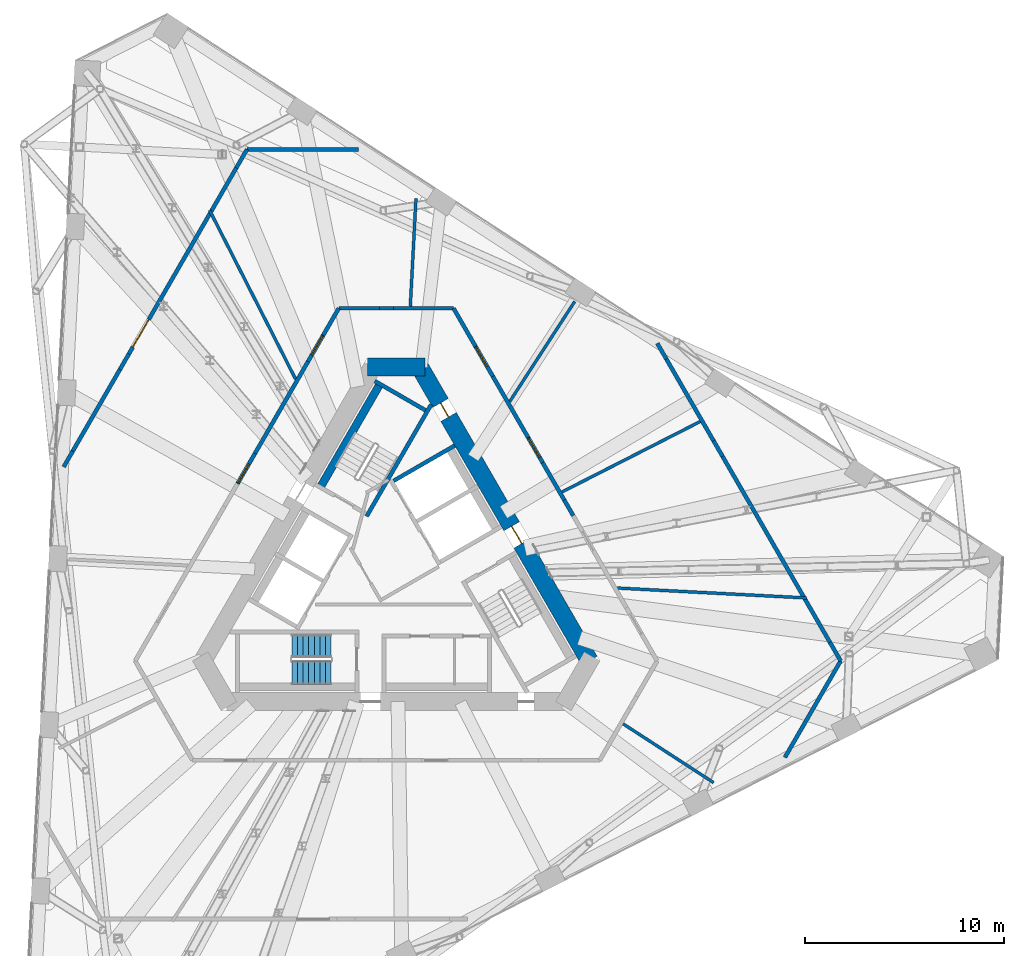
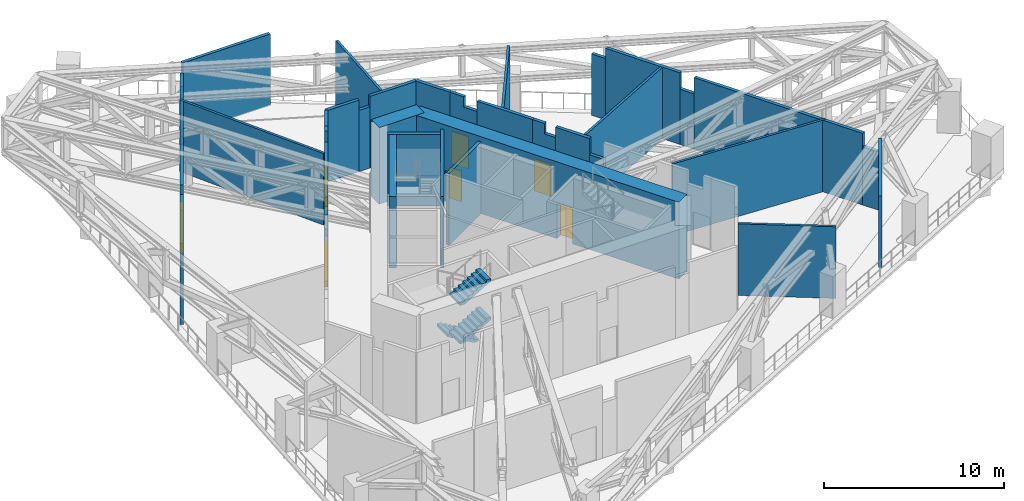
# One storey, part 18 of 26: 37 walls, 7 doors, 3 stair flights, 7 openings, 1 element without a shape of its own.
"""IFC4 building model written with IfcOpenShell, lengths in metres."""

from ifc_helpers import new_model, si_unit, direction, frame, frame_2d, origin, place, context, subcontext, project, spatial, polyline, rectangle, outline, extrude, material, layer, layer_set, type_object, element, fill, aggregate, save


model = new_model("IFC4")

# Units and contexts
model_context = context("Model", 3, precision=1e-05, world=origin(), true_north=direction((0.0, 1.0)))
body_context = subcontext(model_context, "Body", "Model", "MODEL_VIEW")
ifc_project = project(units=[si_unit("LENGTHUNIT", "METRE"), si_unit("AREAUNIT", "SQUARE_METRE"), si_unit("VOLUMEUNIT", "CUBIC_METRE"), si_unit("PLANEANGLEUNIT", "RADIAN"), si_unit("MASSUNIT", "GRAM", prefix="KILO")], contexts=[model_context])

# Site, building, storey
site_placement = place(None, origin())
site = spatial("IfcSite", under=ifc_project, at=site_placement, CompositionType="ELEMENT")
building_placement = place(site_placement, origin())
building = spatial("IfcBuilding", under=site, at=building_placement, Name="Tramontana Tower", CompositionType="ELEMENT")
storey_placement = place(building_placement, frame((0.0, 0.0, 157.60009765625)))
storey = spatial("IfcBuildingStorey", under=building, at=storey_placement, Name="L36", CompositionType="ELEMENT", Elevation=157.60009765625)

# Wall
ifc_material_1 = material(Name="Concrete 70 MPa", Category="concrete")
ifc_layer_1 = layer(ifc_material_1, 0.89990234375)
ifc_layer_set_1 = layer_set([ifc_layer_1], Name="Core wall 900 70 MPa")
wall_type_1 = type_object("IfcWallType", Name="Core wall 900 70 MPa", PredefinedType="SHEAR", material=ifc_layer_set_1)
wall_1_placement = place(storey_placement, frame((1.443359375, 10.550048828125, 0.0), z_axis=(0.0, 0.0, 1.0), x_axis=(-1.0, 0.0, 0.0)))
element("IfcWall", 1, at=wall_1_placement, inside=storey, type_object=wall_type_1, Name="Core wall C0 L36", PredefinedType="SHEAR", context=body_context, shape_type="SweptSolid", body=[
    extrude(rectangle(XDim=2.88671875, YDim=0.89990234375, at=frame_2d((1.443359375, 0.0))), origin(), (0.0, 0.0, 1.0), 5.199951171875),
])

# Wall, openings, doors
wall_2_placement = place(storey_placement, frame((9.728515625, -4.25, 0.0), z_axis=(0.0, 0.0, 1.0), x_axis=(-0.500004814304, 0.866022624227, 0.0)))
wall_2 = element("IfcWall", 2, at=wall_2_placement, inside=storey, type_object=wall_type_1, Name="Core wall C5 L36", PredefinedType="SHEAR", context=body_context, shape_type="SweptSolid", body=[
    extrude(rectangle(XDim=17.089599609375, YDim=0.89990234375, at=frame_2d((8.544921875, 0.0))), origin(), (0.0, 0.0, 1.0), 5.199951171875),
])
opening_1_placement = place(wall_2_placement, frame((6.81982421875, 0.0, 0.0)))
opening_1 = element("IfcOpeningElement", 3, at=opening_1_placement, cuts=wall_2, Name="Opening RG3", PredefinedType="OPENING", context=body_context, shape_type="SweptSolid", body=[
    extrude(rectangle(XDim=1.0, YDim=2.39990234375, at=frame_2d((0.5, 1.199951171875))), frame((0.0, 0.4599609375, 0.0), z_axis=(0.0, -1.0, 0.0), x_axis=(1.0, 0.0, 0.0)), (0.0, 0.0, 1.0), 0.919921875),
])
opening_2_placement = place(wall_2_placement, frame((14.183837890625, 0.0, 0.0)))
opening_2 = element("IfcOpeningElement", 4, at=opening_2_placement, cuts=wall_2, Name="Opening PD3", PredefinedType="OPENING", context=body_context, shape_type="SweptSolid", body=[
    extrude(rectangle(XDim=0.800048828125, YDim=2.10009765625, at=frame_2d((0.39990234375, 1.050048828125))), frame((0.0, 0.4599609375, 0.0), z_axis=(0.0, -1.0, 0.0), x_axis=(1.0, 0.0, 0.0)), (0.0, 0.0, 1.0), 0.919921875),
])
ifc_material_2 = material(Name="Painted steel", Category="steel")
door_type_1 = type_object("IfcDoorType", Name="CUPBOARD DOOR 800", OperationType="SINGLE_SWING_LEFT", PredefinedType="DOOR", material=ifc_material_2)
door_1_placement = place(opening_2_placement, origin())
door_1 = element("IfcDoor", 5, at=door_1_placement, inside=storey, type_object=door_type_1, Name="Door PD3", OperationType="SINGLE_SWING_RIGHT", OverallHeight=2.10009765625, OverallWidth=0.800048828125, PredefinedType="DOOR", context=body_context, shape_type="SweptSolid", body=[
    extrude(rectangle(XDim=0.800048828125, YDim=2.10009765625, at=frame_2d((0.39990234375, 1.050048828125))), frame((0.0, 0.02490234375, 0.0), z_axis=(0.0, -1.0, 0.0), x_axis=(1.0, 0.0, 0.0)), (0.0, 0.0, 1.0), 0.050048828125),
])
fill(opening_2, door_1)
ifc_material_3 = material(Name="Painted steel", Category="steel")
door_type_2 = type_object("IfcDoorType", Name="RING DOOR 1000", OperationType="SINGLE_SWING_LEFT", PredefinedType="DOOR", material=ifc_material_3)
door_2_placement = place(opening_1_placement, origin())
door_2 = element("IfcDoor", 6, at=door_2_placement, inside=storey, type_object=door_type_2, Name="Door RG3", OperationType="SINGLE_SWING_RIGHT", OverallHeight=2.39990234375, OverallWidth=1.0, PredefinedType="DOOR", context=body_context, shape_type="SweptSolid", body=[
    extrude(rectangle(XDim=1.0, YDim=2.39990234375, at=frame_2d((0.5, 1.199951171875))), frame((0.0, 0.02490234375, 0.0), z_axis=(0.0, -1.0, 0.0), x_axis=(1.0, 0.0, 0.0)), (0.0, 0.0, 1.0), 0.050048828125),
])
fill(opening_1, door_2)

# Walls
ifc_material_4 = material(Name="Blockwork", Category="masonry")
ifc_layer_2 = layer(ifc_material_4, 0.199951171875)
ifc_layer_set_2 = layer_set([ifc_layer_2], Name="ENCLOSURE WALL 200")
wall_type_2 = type_object("IfcWallType", Name="ENCLOSURE WALL 200", PredefinedType="SOLIDWALL", material=ifc_layer_set_2)
wall_3_placement = place(storey_placement, frame((13.1435546875, 11.734619140625, 0.0), z_axis=(0.0, 0.0, 1.0), x_axis=(0.500046162864, -0.865998750002, 0.0)))
element("IfcWall", 7, at=wall_3_placement, inside=storey, type_object=wall_type_2, Name="Wall enc0-0", PredefinedType="SOLIDWALL", context=body_context, shape_type="SweptSolid", body=[
    extrude(rectangle(XDim=0.9140625, YDim=0.199951171875, at=frame_2d((0.45703125, 0.0))), origin(), (0.0, 0.0, 1.0), 4.14990234375),
])
wall_4_placement = place(storey_placement, frame((13.6005859375, 10.943115234375, 0.0), z_axis=(0.0, 0.0, 1.0), x_axis=(0.499983650561, -0.866034842932, 0.0)))
element("IfcWall", 8, at=wall_4_placement, inside=storey, type_object=wall_type_2, Name="Wall enc0-1", PredefinedType="SOLIDWALL", context=body_context, shape_type="SweptSolid", body=[
    extrude(rectangle(XDim=4.746826171875, YDim=0.199951171875, at=frame_2d((2.37353515625, 0.0))), origin(), (0.0, 0.0, 1.0), 4.849853515625),
])
wall_5_placement = place(storey_placement, frame((15.973876953125, 6.832275390625, 0.0), z_axis=(0.0, 0.0, 1.0), x_axis=(0.499977996243, -0.866038107287, 0.0)))
element("IfcWall", 9, at=wall_5_placement, inside=storey, type_object=wall_type_2, Name="Wall enc0-2", PredefinedType="SOLIDWALL", context=body_context, shape_type="SweptSolid", body=[
    extrude(rectangle(XDim=0.90966796875, YDim=0.199951171875, at=frame_2d((0.454833984375, 0.0))), origin(), (0.0, 0.0, 1.0), 3.75),
])
wall_6_placement = place(storey_placement, frame((16.4287109375, 6.04443359375, 0.0), z_axis=(0.0, 0.0, 1.0), x_axis=(0.500009239692, -0.86602006918, 0.0)))
element("IfcWall", 10, at=wall_6_placement, inside=storey, type_object=wall_type_2, Name="Wall enc0-3", PredefinedType="SOLIDWALL", context=body_context, shape_type="SweptSolid", body=[
    extrude(rectangle(XDim=10.807861328125, YDim=0.199951171875, at=frame_2d((5.40380859375, 0.0))), origin(), (0.0, 0.0, 1.0), 4.849853515625),
])
wall_7_placement = place(storey_placement, frame((21.832763671875, -3.3154296875, 0.0), z_axis=(0.0, 0.0, 1.0), x_axis=(0.499983569942, -0.866034889475, 0.0)))
element("IfcWall", 11, at=wall_7_placement, inside=storey, type_object=wall_type_2, Name="Wall enc0-4", PredefinedType="SOLIDWALL", context=body_context, shape_type="SweptSolid", body=[
    extrude(rectangle(XDim=1.0791015625, YDim=0.199951171875, at=frame_2d((0.53955078125, 0.0))), origin(), (0.0, 0.0, 1.0), 3.949951171875),
])
wall_8_placement = place(storey_placement, frame((22.372314453125, -4.25, 0.0), z_axis=(0.0, 0.0, 1.0), x_axis=(-0.500008664361, -0.866020401355, 0.0)))
element("IfcWall", 12, at=wall_8_placement, inside=storey, type_object=wall_type_2, Name="Wall enc1", PredefinedType="SOLIDWALL", context=body_context, shape_type="SweptSolid", body=[
    extrude(rectangle(XDim=5.61181640625, YDim=0.199951171875, at=frame_2d((2.805908203125, 0.0))), origin(), (0.0, 0.0, 1.0), 4.849853515625),
])
wall_9_placement = place(storey_placement, frame((-16.734375, 5.515380859375, 0.0), z_axis=(0.0, 0.0, 1.0), x_axis=(0.500046162864, 0.865998750002, 0.0)))
element("IfcWall", 13, at=wall_9_placement, inside=storey, type_object=wall_type_2, Name="Wall enc4-0", PredefinedType="SOLIDWALL", context=body_context, shape_type="SweptSolid", body=[
    extrude(rectangle(XDim=0.9140625, YDim=0.199951171875, at=frame_2d((0.45703125, 0.0))), origin(), (0.0, 0.0, 1.0), 4.14990234375),
])
wall_10_placement = place(storey_placement, frame((-16.27734375, 6.306884765625, 0.0), z_axis=(0.0, 0.0, 1.0), x_axis=(0.50002222493, 0.866012571835, 0.0)))
element("IfcWall", 14, at=wall_10_placement, inside=storey, type_object=wall_type_2, Name="Wall enc4-1", PredefinedType="SOLIDWALL", context=body_context, shape_type="SweptSolid", body=[
    extrude(rectangle(XDim=4.746826171875, YDim=0.199951171875, at=frame_2d((2.37353515625, 0.0))), origin(), (0.0, 0.0, 1.0), 4.849853515625),
])
wall_11_placement = place(storey_placement, frame((-13.90380859375, 10.417724609375, 0.0), z_axis=(0.0, 0.0, 1.0), x_axis=(0.499776670437, 0.866154304779, 0.0)))
element("IfcWall", 15, at=wall_11_placement, inside=storey, type_object=wall_type_2, Name="Wall enc4-2", PredefinedType="SOLIDWALL", context=body_context, shape_type="SweptSolid", body=[
    extrude(rectangle(XDim=0.90966796875, YDim=0.199951171875, at=frame_2d((0.454833984375, 0.0))), origin(), (0.0, 0.0, 1.0), 3.75),
])

# Wall, opening, door
wall_12_placement = place(storey_placement, frame((-13.44921875, 11.20556640625, 0.0), z_axis=(0.0, 0.0, 1.0), x_axis=(0.500009239692, 0.86602006918, 0.0)))
wall_12 = element("IfcWall", 16, at=wall_12_placement, inside=storey, type_object=wall_type_2, Name="Wall enc4-3", PredefinedType="SOLIDWALL", context=body_context, shape_type="SweptSolid", body=[
    extrude(rectangle(XDim=10.807861328125, YDim=0.199951171875, at=frame_2d((5.40380859375, 0.0))), origin(), (0.0, 0.0, 1.0), 4.849853515625),
])
opening_3_placement = place(wall_12_placement, frame((0.391357421875, 0.0, 0.0)))
opening_3 = element("IfcOpeningElement", 17, at=opening_3_placement, cuts=wall_12, Name="Opening L36-10", PredefinedType="OPENING", context=body_context, shape_type="SweptSolid", body=[
    extrude(rectangle(XDim=1.60009765625, YDim=2.300048828125, at=frame_2d((0.800048828125, 1.14990234375))), frame((0.0, 0.10986328125, 0.0), z_axis=(0.0, -1.0, 0.0), x_axis=(1.0, 0.0, 0.0)), (0.0, 0.0, 1.0), 0.219970703125),
])
ifc_material_5 = material(Name="Painted timber", Category="wood")
door_type_3 = type_object("IfcDoorType", Name="DOOR WIDE 1600", OperationType="SINGLE_SWING_LEFT", PredefinedType="DOOR", material=ifc_material_5)
door_3_placement = place(opening_3_placement, origin())
door_3 = element("IfcDoor", 18, at=door_3_placement, inside=storey, type_object=door_type_3, Name="Door L36-10", OperationType="DOUBLE_DOOR_SINGLE_SWING", OverallHeight=2.300048828125, OverallWidth=1.60009765625, PredefinedType="DOOR", context=body_context, shape_type="SweptSolid", body=[
    extrude(rectangle(XDim=1.60009765625, YDim=2.300048828125, at=frame_2d((0.800048828125, 1.14990234375))), frame((0.0, 0.02490234375, 0.0), z_axis=(0.0, -1.0, 0.0), x_axis=(1.0, 0.0, 0.0)), (0.0, 0.0, 1.0), 0.050048828125),
])
fill(opening_3, door_3)

# Walls
wall_13_placement = place(storey_placement, frame((-8.045166015625, 20.5654296875, 0.0), z_axis=(0.0, 0.0, 1.0), x_axis=(0.499983569942, 0.866034889475, 0.0)))
element("IfcWall", 19, at=wall_13_placement, inside=storey, type_object=wall_type_2, Name="Wall enc4-4", PredefinedType="SOLIDWALL", context=body_context, shape_type="SweptSolid", body=[
    extrude(rectangle(XDim=1.0791015625, YDim=0.199951171875, at=frame_2d((0.53955078125, 0.0))), origin(), (0.0, 0.0, 1.0), 3.949951171875),
])
wall_14_placement = place(storey_placement, frame((-7.505615234375, 21.5, 0.0), z_axis=(0.0, 0.0, 1.0), x_axis=(1.0, 0.0, 0.0)))
element("IfcWall", 20, at=wall_14_placement, inside=storey, type_object=wall_type_2, Name="Wall enc5", PredefinedType="SOLIDWALL", context=body_context, shape_type="SweptSolid", body=[
    extrude(rectangle(XDim=5.61181640625, YDim=0.199951171875, at=frame_2d((2.805908203125, 0.0))), origin(), (0.0, 0.0, 1.0), 4.849853515625),
])
ifc_material_6 = material(Name="Blockwork", Category="masonry")
ifc_layer_3 = layer(ifc_material_6, 0.199951171875)
ifc_layer_set_3 = layer_set([ifc_layer_3], Name="ENTRY WALL 200")
wall_type_3 = type_object("IfcWallType", Name="ENTRY WALL 200", PredefinedType="SOLIDWALL", material=ifc_layer_set_3)
wall_15_placement = place(storey_placement, frame((2.88671875, 13.5, 0.0), z_axis=(0.0, 0.0, 1.0), x_axis=(0.499966483153, -0.86604475388, 0.0)))
element("IfcWall", 21, at=wall_15_placement, inside=storey, type_object=wall_type_3, Name="Wall ew0-0", PredefinedType="SOLIDWALL", context=body_context, shape_type="SweptSolid", body=[
    extrude(rectangle(XDim=2.222900390625, YDim=0.199951171875, at=frame_2d((1.111328125, 0.0))), origin(), (0.0, 0.0, 1.0), 4.849853515625),
])

# Wall, opening, door
wall_16_placement = place(storey_placement, frame((3.998046875, 11.574951171875, 0.0), z_axis=(0.0, 0.0, 1.0), x_axis=(0.500038750527, -0.866003030001, 0.0)))
wall_16 = element("IfcWall", 22, at=wall_16_placement, inside=storey, type_object=wall_type_3, Name="Wall ew0-1", PredefinedType="SOLIDWALL", context=body_context, shape_type="SweptSolid", body=[
    extrude(outline(polyline([(0.0, 0.0), (1.737060546875, 0.0), (1.7373046875, 4.14990234375), (0.8720703125, 4.14990234375), (0.8720703125, 4.849853515625), (0.0, 4.849853515625), (0.0, 0.0)])), frame((0.0, 0.10009765625, 0.0), z_axis=(0.0, -1.0, 0.0), x_axis=(1.0, 0.0, 0.0)), (0.0, 0.0, 1.0), 0.199951171875),
])
opening_4_placement = place(wall_16_placement, frame((0.050048828125, 0.0, 0.0)))
opening_4 = element("IfcOpeningElement", 23, at=opening_4_placement, cuts=wall_16, Name="Opening L36-01", PredefinedType="OPENING", context=body_context, shape_type="SweptSolid", body=[
    extrude(rectangle(XDim=1.10009765625, YDim=2.199951171875, at=frame_2d((0.550048828125, 1.10009765625))), frame((0.0, 0.10986328125, 0.0), z_axis=(0.0, -1.0, 0.0), x_axis=(1.0, 0.0, 0.0)), (0.0, 0.0, 1.0), 0.219970703125),
])
ifc_material_7 = material(Name="Painted steel", Category="steel")
door_type_4 = type_object("IfcDoorType", Name="PLANT DOOR 1100", OperationType="SINGLE_SWING_LEFT", PredefinedType="DOOR", material=ifc_material_7)
door_4_placement = place(opening_4_placement, origin())
door_4 = element("IfcDoor", 24, at=door_4_placement, inside=storey, type_object=door_type_4, Name="Door L36-01", OperationType="SINGLE_SWING_LEFT", OverallHeight=2.199951171875, OverallWidth=1.10009765625, PredefinedType="DOOR", context=body_context, shape_type="SweptSolid", body=[
    extrude(rectangle(XDim=1.10009765625, YDim=2.199951171875, at=frame_2d((0.550048828125, 1.10009765625))), frame((0.0, 0.02490234375, 0.0), z_axis=(0.0, -1.0, 0.0), x_axis=(1.0, 0.0, 0.0)), (0.0, 0.0, 1.0), 0.050048828125),
])
fill(opening_4, door_4)

# Wall
wall_17_placement = place(storey_placement, frame((4.86669921875, 10.070556640625, 0.0), z_axis=(0.0, 0.0, 1.0), x_axis=(0.50003588878, -0.866004682396, 0.0)))
element("IfcWall", 25, at=wall_17_placement, inside=storey, type_object=wall_type_3, Name="Wall ew0-2", PredefinedType="SOLIDWALL", context=body_context, shape_type="SweptSolid", body=[
    extrude(rectangle(XDim=3.551025390625, YDim=0.199951171875, at=frame_2d((1.775390625, 0.0))), origin(), (0.0, 0.0, 1.0), 4.849853515625),
])

# Wall, opening, door
wall_18_placement = place(storey_placement, frame((6.642333984375, 6.995361328125, 0.0), z_axis=(0.0, 0.0, 1.0), x_axis=(0.499953038101, -0.866052515552, 0.0)))
wall_18 = element("IfcWall", 26, at=wall_18_placement, inside=storey, type_object=wall_type_3, Name="Wall ew0-3", PredefinedType="SOLIDWALL", context=body_context, shape_type="SweptSolid", body=[
    extrude(outline(polyline([(0.0, 0.0), (1.466552734375, 0.0), (1.466552734375, 4.14990234375), (0.755615234375, 4.14990234375), (0.755615234375, 4.849853515625), (0.0, 4.849853515625), (0.0, 0.0)])), frame((0.0, 0.10009765625, 0.0), z_axis=(0.0, -1.0, 0.0), x_axis=(1.0, 0.0, 0.0)), (0.0, 0.0, 1.0), 0.199951171875),
])
opening_5_placement = place(wall_18_placement, frame((0.050048828125, 0.0, 0.0)))
opening_5 = element("IfcOpeningElement", 27, at=opening_5_placement, cuts=wall_18, Name="Opening L36-09", PredefinedType="OPENING", context=body_context, shape_type="SweptSolid", body=[
    extrude(rectangle(XDim=1.10009765625, YDim=2.199951171875, at=frame_2d((0.550048828125, 1.10009765625))), frame((0.0, 0.10986328125, 0.0), z_axis=(0.0, -1.0, 0.0), x_axis=(1.0, 0.0, 0.0)), (0.0, 0.0, 1.0), 0.219970703125),
])
door_5_placement = place(opening_5_placement, origin())
door_5 = element("IfcDoor", 28, at=door_5_placement, inside=storey, type_object=door_type_4, Name="Door L36-09", OperationType="SINGLE_SWING_LEFT", OverallHeight=2.199951171875, OverallWidth=1.10009765625, PredefinedType="DOOR", context=body_context, shape_type="SweptSolid", body=[
    extrude(rectangle(XDim=1.10009765625, YDim=2.199951171875, at=frame_2d((0.550048828125, 1.10009765625))), frame((0.0, 0.02490234375, 0.0), z_axis=(0.0, -1.0, 0.0), x_axis=(1.0, 0.0, 0.0)), (0.0, 0.0, 1.0), 0.050048828125),
])
fill(opening_5, door_5)

# Walls
wall_19_placement = place(storey_placement, frame((7.37548828125, 5.725341796875, 0.0), z_axis=(0.0, 0.0, 1.0), x_axis=(0.499975720793, -0.866039420937, 0.0)))
element("IfcWall", 29, at=wall_19_placement, inside=storey, type_object=wall_type_3, Name="Wall ew0-4", PredefinedType="SOLIDWALL", context=body_context, shape_type="SweptSolid", body=[
    extrude(rectangle(XDim=2.16943359375, YDim=0.199951171875, at=frame_2d((1.084716796875, 0.0))), origin(), (0.0, 0.0, 1.0), 4.849853515625),
])
wall_20_placement = place(storey_placement, frame((8.460205078125, 3.846435546875, 0.0), z_axis=(0.0, 0.0, 1.0), x_axis=(0.499977996243, -0.866038107287, 0.0)))
element("IfcWall", 30, at=wall_20_placement, inside=storey, type_object=wall_type_3, Name="Wall ew0-5", PredefinedType="SOLIDWALL", context=body_context, shape_type="SweptSolid", body=[
    extrude(rectangle(XDim=0.90966796875, YDim=0.199951171875, at=frame_2d((0.454833984375, 0.0))), origin(), (0.0, 0.0, 1.0), 3.75),
])

# Wall, opening, door
wall_21_placement = place(storey_placement, frame((-7.983642578125, 4.671630859375, 0.0), z_axis=(0.0, 0.0, 1.0), x_axis=(0.499895082464, 0.866085969479, 0.0)))
wall_21 = element("IfcWall", 31, at=wall_21_placement, inside=storey, type_object=wall_type_3, Name="Wall ew4-5", PredefinedType="SOLIDWALL", context=body_context, shape_type="SweptSolid", body=[
    extrude(outline(polyline([(0.0, 0.0), (1.7548828125, 0.0), (1.754638671875, 3.75), (0.84521484375, 3.75), (0.84521484375, 4.849853515625), (0.0, 4.849853515625), (0.0, 0.0)])), frame((0.0, 0.10009765625, 0.0), z_axis=(0.0, -1.0, 0.0), x_axis=(1.0, 0.0, 0.0)), (0.0, 0.0, 1.0), 0.199951171875),
])
opening_6_placement = place(wall_21_placement, frame((0.050048828125, 0.0, 0.0)))
opening_6 = element("IfcOpeningElement", 32, at=opening_6_placement, cuts=wall_21, Name="Opening L36-03", PredefinedType="OPENING", context=body_context, shape_type="SweptSolid", body=[
    extrude(rectangle(XDim=1.10009765625, YDim=2.199951171875, at=frame_2d((0.550048828125, 1.10009765625))), frame((0.0, 0.10986328125, 0.0), z_axis=(0.0, -1.0, 0.0), x_axis=(1.0, 0.0, 0.0)), (0.0, 0.0, 1.0), 0.219970703125),
])
door_6_placement = place(opening_6_placement, origin())
door_6 = element("IfcDoor", 33, at=door_6_placement, inside=storey, type_object=door_type_4, Name="Door L36-03", OperationType="SINGLE_SWING_LEFT", OverallHeight=2.199951171875, OverallWidth=1.10009765625, PredefinedType="DOOR", context=body_context, shape_type="SweptSolid", body=[
    extrude(rectangle(XDim=1.10009765625, YDim=2.199951171875, at=frame_2d((0.550048828125, 1.10009765625))), frame((0.0, 0.02490234375, 0.0), z_axis=(0.0, -1.0, 0.0), x_axis=(1.0, 0.0, 0.0)), (0.0, 0.0, 1.0), 0.050048828125),
])
fill(opening_6, door_6)

# Wall
wall_22_placement = place(storey_placement, frame((-7.1064453125, 6.19140625, 0.0), z_axis=(0.0, 0.0, 1.0), x_axis=(0.500011158634, 0.866018961248, 0.0)))
element("IfcWall", 34, at=wall_22_placement, inside=storey, type_object=wall_type_3, Name="Wall ew4-6", PredefinedType="SOLIDWALL", context=body_context, shape_type="SweptSolid", body=[
    extrude(rectangle(XDim=5.34375, YDim=0.199951171875, at=frame_2d((2.671875, 0.0))), origin(), (0.0, 0.0, 1.0), 4.849853515625),
])

# Wall, opening, door
wall_23_placement = place(storey_placement, frame((-4.4345703125, 10.819091796875, 0.0), z_axis=(0.0, 0.0, 1.0), x_axis=(0.500008507724, 0.866020491792, 0.0)))
wall_23 = element("IfcWall", 35, at=wall_23_placement, inside=storey, type_object=wall_type_3, Name="Wall ew4-7", PredefinedType="SOLIDWALL", context=body_context, shape_type="SweptSolid", body=[
    extrude(outline(polyline([(0.0, 0.0), (1.52685546875, 0.0), (1.52685546875, 4.849853515625), (1.039306640625, 4.849853515625), (1.039306640625, 3.949951171875), (0.0, 3.949951171875), (0.0, 0.0)])), frame((0.0, 0.10009765625, 0.0), z_axis=(0.0, -1.0, 0.0), x_axis=(1.0, 0.0, 0.0)), (0.0, 0.0, 1.0), 0.199951171875),
])
opening_7_placement = place(wall_23_placement, frame((0.376708984375, 0.0, 0.0)))
opening_7 = element("IfcOpeningElement", 36, at=opening_7_placement, cuts=wall_23, Name="Opening L36-02", PredefinedType="OPENING", context=body_context, shape_type="SweptSolid", body=[
    extrude(rectangle(XDim=1.10009765625, YDim=2.199951171875, at=frame_2d((0.550048828125, 1.10009765625))), frame((0.0, 0.10986328125, 0.0), z_axis=(0.0, -1.0, 0.0), x_axis=(1.0, 0.0, 0.0)), (0.0, 0.0, 1.0), 0.219970703125),
])
door_7_placement = place(opening_7_placement, origin())
door_7 = element("IfcDoor", 37, at=door_7_placement, inside=storey, type_object=door_type_4, Name="Door L36-02", OperationType="SINGLE_SWING_RIGHT", OverallHeight=2.199951171875, OverallWidth=1.10009765625, PredefinedType="DOOR", context=body_context, shape_type="SweptSolid", body=[
    extrude(rectangle(XDim=1.10009765625, YDim=2.199951171875, at=frame_2d((0.550048828125, 1.10009765625))), frame((0.0, 0.02490234375, 0.0), z_axis=(0.0, -1.0, 0.0), x_axis=(1.0, 0.0, 0.0)), (0.0, 0.0, 1.0), 0.050048828125),
])
fill(opening_7, door_7)

# Walls
wall_24_placement = place(storey_placement, frame((-3.671142578125, 12.141357421875, 0.0), z_axis=(0.0, 0.0, 1.0), x_axis=(0.500005339912, 0.866022320763, 0.0)))
element("IfcWall", 38, at=wall_24_placement, inside=storey, type_object=wall_type_3, Name="Wall ew4-8", PredefinedType="SOLIDWALL", context=body_context, shape_type="SweptSolid", body=[
    extrude(rectangle(XDim=1.56884765625, YDim=0.199951171875, at=frame_2d((0.784423828125, 0.0))), origin(), (0.0, 0.0, 1.0), 4.849853515625),
])
wall_25_placement = place(storey_placement, frame((-2.88671875, 13.5, 0.0), z_axis=(0.0, 0.0, 1.0), x_axis=(1.0, 0.0, 0.0)))
element("IfcWall", 39, at=wall_25_placement, inside=storey, type_object=wall_type_3, Name="Wall ew5-0", PredefinedType="SOLIDWALL", context=body_context, shape_type="SweptSolid", body=[
    extrude(rectangle(XDim=2.057861328125, YDim=0.199951171875, at=frame_2d((1.02880859375, 0.0))), origin(), (0.0, 0.0, 1.0), 4.849853515625),
])
wall_26_placement = place(storey_placement, frame((-0.828857421875, 13.5, 0.0), z_axis=(0.0, 0.0, 1.0), x_axis=(1.0, 0.0, 0.0)))
element("IfcWall", 40, at=wall_26_placement, inside=storey, type_object=wall_type_3, Name="Wall ew5-1", PredefinedType="SOLIDWALL", context=body_context, shape_type="SweptSolid", body=[
    extrude(rectangle(XDim=0.700439453125, YDim=0.199951171875, at=frame_2d((0.35009765625, 0.0))), origin(), (0.0, 0.0, 1.0), 4.14990234375),
])
wall_27_placement = place(storey_placement, frame((-0.12841796875, 13.5, 0.0), z_axis=(0.0, 0.0, 1.0), x_axis=(1.0, 0.0, 0.0)))
element("IfcWall", 41, at=wall_27_placement, inside=storey, type_object=wall_type_3, Name="Wall ew5-2", PredefinedType="SOLIDWALL", context=body_context, shape_type="SweptSolid", body=[
    extrude(rectangle(XDim=3.01513671875, YDim=0.199951171875, at=frame_2d((1.507568359375, 0.0))), origin(), (0.0, 0.0, 1.0), 4.849853515625),
])
ifc_material_8 = material(Name="Gypsum board partition")
ifc_layer_4 = layer(ifc_material_8, 0.14990234375)
ifc_layer_set_4 = layer_set([ifc_layer_4], Name="PARTITION 150")
wall_type_4 = type_object("IfcWallType", Name="PARTITION 150", PredefinedType="PARTITIONING", material=ifc_layer_set_4)
wall_28_placement = place(storey_placement, frame((-5.061279296875, 9.93359375, 0.0), z_axis=(0.0, 0.0, 1.0), x_axis=(-0.453998628556, 0.891002382303, 0.0)))
element("IfcWall", 42, at=wall_28_placement, inside=storey, type_object=wall_type_4, Name="Wall fw-pw03", PredefinedType="PARTITIONING", context=body_context, shape_type="SweptSolid", body=[
    extrude(rectangle(XDim=9.538818359375, YDim=0.14990234375, at=frame_2d((4.76953125, 0.0))), origin(), (0.0, 0.0, 1.0), 4.849853515625),
])
wall_29_placement = place(storey_placement, frame((0.712646484375, 13.60009765625, 0.0), z_axis=(0.0, 0.0, 1.0), x_axis=(0.052344232101, 0.998629101001, 0.0)))
element("IfcWall", 43, at=wall_29_placement, inside=storey, type_object=wall_type_4, Name="Wall fw-pw04", PredefinedType="PARTITIONING", context=body_context, shape_type="SweptSolid", body=[
    extrude(rectangle(XDim=5.433837890625, YDim=0.14990234375, at=frame_2d((2.716796875, 0.0))), origin(), (0.0, 0.0, 1.0), 4.849853515625),
])
wall_30_placement = place(storey_placement, frame((8.34228515625, 4.250732421875, 0.0), z_axis=(0.0, 0.0, 1.0), x_axis=(0.891018796903, 0.453966412377, 0.0)))
element("IfcWall", 44, at=wall_30_placement, inside=storey, type_object=wall_type_4, Name="Wall fw-pw05", PredefinedType="PARTITIONING", context=body_context, shape_type="SweptSolid", body=[
    extrude(rectangle(XDim=8.010986328125, YDim=0.14990234375, at=frame_2d((4.00537109375, 0.0))), origin(), (0.0, 0.0, 1.0), 4.849853515625),
])
wall_31_placement = place(storey_placement, frame((8.986572265625, 13.838134765625, 0.0), z_axis=(0.0, 0.0, 1.0), x_axis=(-0.544632548775, -0.838674780123, 0.0)))
element("IfcWall", 45, at=wall_31_placement, inside=storey, type_object=wall_type_4, Name="Wall fw-pw06", PredefinedType="PARTITIONING", context=body_context, shape_type="SweptSolid", body=[
    extrude(rectangle(XDim=6.00634765625, YDim=0.14990234375, at=frame_2d((3.003173828125, 0.0))), origin(), (0.0, 0.0, 1.0), 4.849853515625),
])
wall_32_placement = place(storey_placement, frame((11.13330078125, -0.58349609375, 0.0), z_axis=(0.0, 0.0, 1.0), x_axis=(0.998629329727, -0.052339868248, 0.0)))
element("IfcWall", 46, at=wall_32_placement, inside=storey, type_object=wall_type_4, Name="Wall fw-pw07", PredefinedType="PARTITIONING", context=body_context, shape_type="SweptSolid", body=[
    extrude(rectangle(XDim=9.5390625, YDim=0.14990234375, at=frame_2d((4.76953125, 0.0))), origin(), (0.0, 0.0, 1.0), 4.849853515625),
])
wall_33_placement = place(storey_placement, frame((11.421630859375, -7.417236328125, 0.0), z_axis=(0.0, 0.0, 1.0), x_axis=(0.838667328076, -0.544644023944, 0.0)))
element("IfcWall", 47, at=wall_33_placement, inside=storey, type_object=wall_type_4, Name="Wall fw-pw08", PredefinedType="PARTITIONING", context=body_context, shape_type="SweptSolid", body=[
    extrude(rectangle(XDim=5.433837890625, YDim=0.14990234375, at=frame_2d((2.716796875, 0.0))), origin(), (0.0, 0.0, 1.0), 4.849853515625),
])
ifc_material_9 = material(Name="Concrete 70 MPa", Category="concrete")
ifc_layer_5 = layer(ifc_material_9, 0.39990234375)
ifc_layer_set_5 = layer_set([ifc_layer_5], Name="Concrete 70 MPa, 400 mm")
wall_type_5 = type_object("IfcWallType", Name="RC SHAFT BACK WALL 400", PredefinedType="SOLIDWALL", material=ifc_layer_set_5)
wall_34_placement = place(storey_placement, frame((-0.766357421875, 9.7724609375, 0.0), z_axis=(0.0, 0.0, 1.0), x_axis=(-0.500009909098, -0.866019682689, 0.0)))
element("IfcWall", 48, at=wall_34_placement, inside=storey, type_object=wall_type_5, Name="Wall st1-back", PredefinedType="SOLIDWALL", context=body_context, shape_type="SweptSolid", body=[
    extrude(rectangle(XDim=6.199951171875, YDim=0.39990234375, at=frame_2d((3.10009765625, 0.0))), origin(), (0.0, 0.0, 1.0), 4.849853515625),
])
ifc_material_10 = material(Name="Concrete 70 MPa", Category="concrete")
ifc_layer_6 = layer(ifc_material_10, 0.199951171875)
ifc_layer_set_6 = layer_set([ifc_layer_6], Name="Concrete 70 MPa, 200 mm")
wall_type_6 = type_object("IfcWallType", Name="RC STAIR AND SHAFT WALL 200", PredefinedType="SOLIDWALL", material=ifc_layer_set_6)
wall_35_placement = place(storey_placement, frame((1.760986328125, 8.64990234375, 0.0), z_axis=(0.0, 0.0, 1.0), x_axis=(-0.500010023241, -0.866019616786, 0.0)))
element("IfcWall", 49, at=wall_35_placement, inside=storey, type_object=wall_type_6, Name="Wall st1-front", PredefinedType="SOLIDWALL", context=body_context, shape_type="SweptSolid", body=[
    extrude(rectangle(XDim=6.491455078125, YDim=0.199951171875, at=frame_2d((3.24560546875, 0.0))), origin(), (0.0, 0.0, 1.0), 4.849853515625),
])
wall_36_placement = place(storey_placement, frame((1.478515625, 8.36083984375, 0.0), z_axis=(0.0, 0.0, 1.0), x_axis=(-0.866003658127, 0.500037662692, 0.0)))
element("IfcWall", 50, at=wall_36_placement, inside=storey, type_object=wall_type_6, Name="Wall st1-far", PredefinedType="SOLIDWALL", context=body_context, shape_type="SweptSolid", body=[
    extrude(rectangle(XDim=2.949951171875, YDim=0.199951171875, at=frame_2d((1.47509765625, 0.0))), origin(), (0.0, 0.0, 1.0), 4.849853515625),
])
wall_37_placement = place(storey_placement, frame((-0.123046875, 4.813232421875, 0.0), z_axis=(0.0, 0.0, 1.0), x_axis=(0.865995461329, 0.500051858269, 0.0)))
element("IfcWall", 51, at=wall_37_placement, inside=storey, type_object=wall_type_6, Name="Wall row2-side2", PredefinedType="SOLIDWALL", context=body_context, shape_type="SweptSolid", body=[
    extrude(rectangle(XDim=3.5498046875, YDim=0.199951171875, at=frame_2d((1.77490234375, 0.0))), origin(), (0.0, 0.0, 1.0), 4.849853515625),
])

# Stair, stair flights
ifc_material_11 = material(Name="Concrete 40 MPa", Category="concrete")
stair_type = type_object("IfcStairType", Name="EXIT STAIR 32 RISERS", PredefinedType="HALF_TURN_STAIR", material=ifc_material_11)
stair_placement = place(storey_placement, origin())
stair = element("IfcStair", 52, at=stair_placement, inside=storey, type_object=stair_type, Name="L36 Exit stair ST2", PredefinedType="HALF_TURN_STAIR")
ifc_material_12 = material(Name="Concrete 40 MPa", Category="concrete")
ifc_layer_7 = layer(ifc_material_12, 0.14990234375)
ifc_layer_set_7 = layer_set([ifc_layer_7], Name="EXIT STAIR FLIGHT")
stair_flight_type = type_object("IfcStairFlightType", Name="EXIT STAIR FLIGHT", PredefinedType="STRAIGHT", material=ifc_layer_set_7)
stair_flight_1_placement = place(storey_placement, frame((-3.280029296875, -3.5, 0.0), z_axis=(0.0, 0.0, 1.0), x_axis=(-1.0, 0.0, 0.0)))
stair_flight_1 = element("IfcStairFlight", 53, at=stair_flight_1_placement, type_object=stair_flight_type, Name="ST2 flight 1", NumberOfRisers=8, NumberOfTreads=7, PredefinedType="STRAIGHT", RiserHeight=0.1625, TreadLength=0.28, context=body_context, shape_type="SweptSolid", body=[
    extrude(outline(polyline([(-0.006103515625, 0.0), (-0.006103515625, 0.0400390625), (0.0, 0.0400390625), (0.0, 0.16259765625), (0.280029296875, 0.16259765625), (0.280029296875, 0.324951171875), (0.56005859375, 0.324951171875), (0.56005859375, 0.487548828125), (0.840087890625, 0.487548828125), (0.840087890625, 0.64990234375), (1.1201171875, 0.64990234375), (1.1201171875, 0.8125), (1.39990234375, 0.8125), (1.39990234375, 0.97509765625), (1.679931640625, 0.97509765625), (1.679931640625, 1.137451171875), (1.9599609375, 1.137451171875), (1.966064453125, 1.137451171875), (1.966064453125, 0.964111328125), (0.3046875, 0.0), (-0.006103515625, 0.0)])), frame((0.0, 0.60009765625, 0.0), z_axis=(0.0, -1.0, 0.0), x_axis=(1.0, 0.0, 0.0)), (0.0, 0.0, 1.0), 1.199951171875),
])
stair_flight_2_placement = place(storey_placement, frame((-5.239990234375, -4.85009765625, 1.2998046875), z_axis=(0.0, 0.0, 1.0), x_axis=(1.0, 0.0, 0.0)))
stair_flight_2 = element("IfcStairFlight", 54, at=stair_flight_2_placement, type_object=stair_flight_type, Name="ST2 flight 2", NumberOfRisers=8, NumberOfTreads=7, PredefinedType="STRAIGHT", RiserHeight=0.1625, TreadLength=0.28, context=body_context, shape_type="SweptSolid", body=[
    extrude(outline(polyline([(-0.006103515625, 0.0), (-0.006103515625, 0.0400390625), (0.0, 0.0400390625), (0.0, 0.16259765625), (0.280029296875, 0.16259765625), (0.280029296875, 0.324951171875), (0.56005859375, 0.324951171875), (0.56005859375, 0.487548828125), (0.840087890625, 0.487548828125), (0.840087890625, 0.64990234375), (1.1201171875, 0.64990234375), (1.1201171875, 0.8125), (1.39990234375, 0.8125), (1.39990234375, 0.97509765625), (1.679931640625, 0.97509765625), (1.679931640625, 1.137451171875), (1.9599609375, 1.137451171875), (1.966064453125, 1.137451171875), (1.966064453125, 0.964111328125), (0.3046875, 0.0), (-0.006103515625, 0.0)])), frame((0.0, 0.60009765625, 0.0), z_axis=(0.0, -1.0, 0.0), x_axis=(1.0, 0.0, 0.0)), (0.0, 0.0, 1.0), 1.199951171875),
])
stair_flight_3_placement = place(storey_placement, frame((-5.239990234375, -4.85009765625, 3.89990234375), z_axis=(0.0, 0.0, 1.0), x_axis=(1.0, 0.0, 0.0)))
stair_flight_3 = element("IfcStairFlight", 55, at=stair_flight_3_placement, type_object=stair_flight_type, Name="ST2 flight 4", NumberOfRisers=8, NumberOfTreads=7, PredefinedType="STRAIGHT", RiserHeight=0.1625, TreadLength=0.28, context=body_context, shape_type="SweptSolid", body=[
    extrude(outline(polyline([(-0.006103515625, 0.0), (-0.006103515625, 0.0400390625), (0.0, 0.0400390625), (0.0, 0.16259765625), (0.280029296875, 0.16259765625), (0.280029296875, 0.324951171875), (0.56005859375, 0.324951171875), (0.56005859375, 0.487548828125), (0.840087890625, 0.487548828125), (0.840087890625, 0.64990234375), (1.1201171875, 0.64990234375), (1.1201171875, 0.8125), (1.39990234375, 0.8125), (1.39990234375, 0.97509765625), (1.679931640625, 0.97509765625), (1.679931640625, 1.137451171875), (1.9599609375, 1.137451171875), (1.966064453125, 1.137451171875), (1.966064453125, 0.964111328125), (0.3046875, 0.0), (-0.006103515625, 0.0)])), frame((0.0, 0.60009765625, 0.0), z_axis=(0.0, -1.0, 0.0), x_axis=(1.0, 0.0, 0.0)), (0.0, 0.0, 1.0), 1.199951171875),
])
aggregate(stair, [stair_flight_1, stair_flight_2, stair_flight_3])

save(model, "model.ifc")
